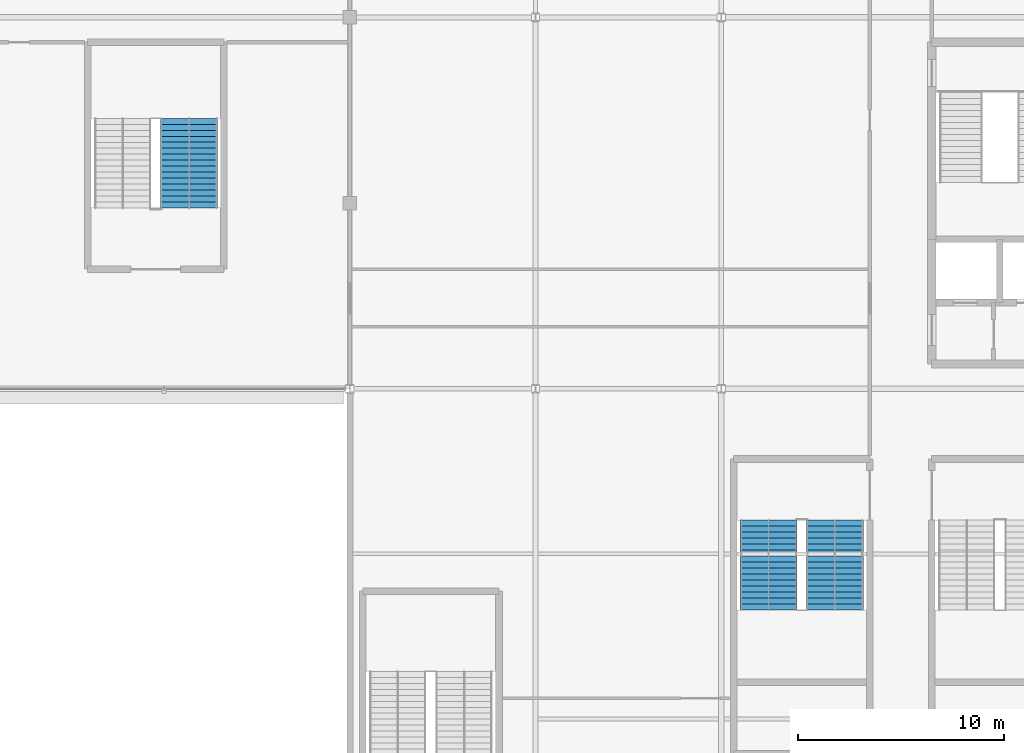
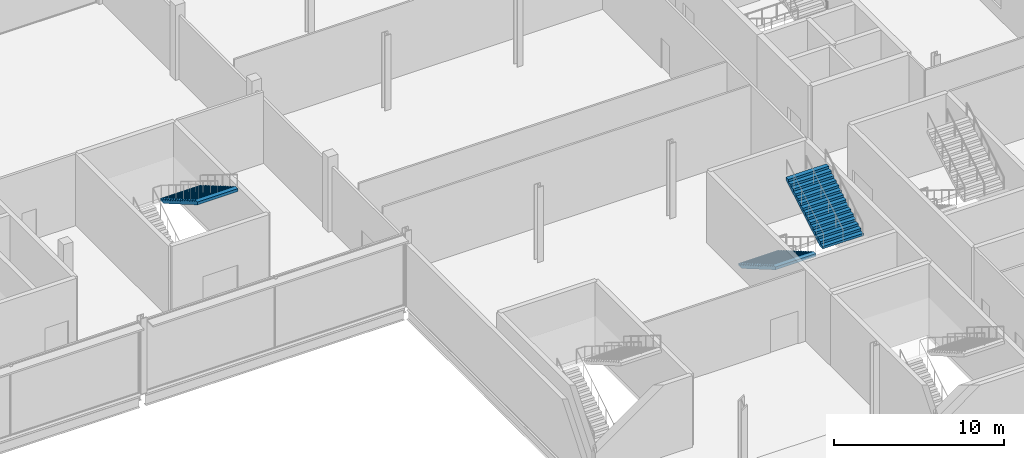
# One storey, part 94 of 111: 3 stair flights, 2 elements without a shape of their own.
"""IFC4 building model written with IfcOpenShell, lengths in metres."""

from ifc_helpers import new_model, si_unit, direction, frame, origin, place, context, subcontext, project, spatial, polygons, material, type_object, element, aggregate, save


model = new_model("IFC4")

# Units and contexts
model_context = context("Model", 3, precision=1e-05, world=origin(), true_north=direction((0.0, 1.0)))
body_context = subcontext(model_context, "Body", "Model", "MODEL_VIEW")
ifc_project = project(units=[si_unit("LENGTHUNIT", "METRE"), si_unit("AREAUNIT", "SQUARE_METRE"), si_unit("VOLUMEUNIT", "CUBIC_METRE"), si_unit("PLANEANGLEUNIT", "RADIAN"), si_unit("MASSUNIT", "GRAM", prefix="KILO")], contexts=[model_context])

# Site, building, storey
site_placement = place(None, origin())
site = spatial("IfcSite", under=ifc_project, at=site_placement, CompositionType="ELEMENT")
building_placement = place(site_placement, origin())
building = spatial("IfcBuilding", under=site, at=building_placement, Name="Kisiwana Market Hall", CompositionType="ELEMENT")
storey_placement = place(building_placement, frame((0.0, 0.0, 11.39990234375)))
storey = spatial("IfcBuildingStorey", under=building, at=storey_placement, Name="L02", CompositionType="ELEMENT", Elevation=11.39990234375)

# Stair, stair flights
ifc_material_1 = material(Name="Concrete C32/40", Category="concrete")
stair_type = type_object("IfcStairType", Name="ST-ESC-5400", PredefinedType="TWO_STRAIGHT_RUN_STAIR", material=ifc_material_1)
stair_1_placement = place(storey_placement, origin())
stair_1 = element("IfcStair", 1, at=stair_1_placement, inside=storey, type_object=stair_type, Name="Escape stair ST-E8-L02", PredefinedType="TWO_STRAIGHT_RUN_STAIR")
ifc_material_2 = material(Name="Concrete C32/40", Category="concrete")
stair_flight_type = type_object("IfcStairFlightType", Name="SF-ESC-5400", PredefinedType="STRAIGHT", material=ifc_material_2)
stair_flight_1_placement = place(storey_placement, frame((173.2900390625, 77.639892578125, 0.0), z_axis=(0.0, 0.0, 1.0), x_axis=(0.0, -1.0, 0.0)))
stair_flight_1 = element("IfcStairFlight", 2, at=stair_flight_1_placement, type_object=stair_flight_type, Name="ST-E8-L02 flight 1", NumberOfRisers=16, NumberOfTreads=15, PredefinedType="STRAIGHT", RiserHeight=0.16875, TreadLength=0.29, context=body_context, shape_type="Tessellation", body=[
    polygons([(0.0, -1.380127, 0.0), (0.0, -0.690125, 0.0), (0.0, -0.000122, 0.0), (0.0, 0.68988, 0.0), (0.0, 1.379883, 0.0), (0.0, -1.380127, 0.168701), (0.0, -0.690125, 0.168701), (0.0, -0.000122, 0.168701), (0.0, 0.68988, 0.168701), (0.0, 1.379883, 0.168701), (0.290039, -1.380127, 0.168701), (0.290039, -0.690125, 0.168701), (0.290039, -0.000122, 0.168701), (0.290039, 0.68988, 0.168701), (0.290039, 1.379883, 0.168701), (0.290039, -1.380127, 0.337402), (0.290039, -0.690125, 0.337402), (0.290039, -0.000122, 0.337402), (0.290039, 0.68988, 0.337402), (0.290039, 1.379883, 0.337402), (0.580078, -1.380127, 0.337402), (0.580078, -0.690125, 0.337402), (0.580078, -0.000122, 0.337402), (0.580078, 0.68988, 0.337402), (0.580078, 1.379883, 0.337402), (0.580078, -1.380127, 0.506348), (0.580078, -0.690125, 0.506348), (0.580078, -0.000122, 0.506348), (0.580078, 0.68988, 0.506348), (0.580078, 1.379883, 0.506348), (0.870117, -1.380127, 0.506348), (0.870117, -0.690125, 0.506348), (0.870117, -0.000122, 0.506348), (0.870117, 0.68988, 0.506348), (0.870117, 1.379883, 0.506348), (0.870117, -1.380127, 0.675049), (0.870117, -0.690125, 0.675049), (0.870117, -0.000122, 0.675049), (0.870117, 0.68988, 0.675049), (0.870117, 1.379883, 0.675049), (1.159912, -1.380127, 0.675049), (1.159912, -0.690125, 0.675049), (1.159912, -0.000122, 0.675049), (1.159912, 0.68988, 0.675049), (1.159912, 1.379883, 0.675049), (1.159912, -1.380127, 0.84375), (1.159912, -0.690125, 0.84375), (1.159912, -0.000122, 0.84375), (1.159912, 0.68988, 0.84375), (1.159912, 1.379883, 0.84375), (1.449951, -1.380127, 0.84375), (1.449951, -0.690125, 0.84375), (1.449951, -0.000122, 0.84375), (1.449951, 0.68988, 0.84375), (1.449951, 1.379883, 0.84375), (1.449951, -1.380127, 1.012451), (1.449951, -0.690125, 1.012451), (1.449951, -0.000122, 1.012451), (1.449951, 0.68988, 1.012451), (1.449951, 1.379883, 1.012451), (1.73999, -1.380127, 1.012451), (1.73999, -0.690125, 1.012451), (1.73999, -0.000122, 1.012451), (1.73999, 0.68988, 1.012451), (1.73999, 1.379883, 1.012451), (1.73999, -1.380127, 1.181152), (1.73999, -0.690125, 1.181152), (1.73999, -0.000122, 1.181152), (1.73999, 0.68988, 1.181152), (1.73999, 1.379883, 1.181152), (2.030029, -1.380127, 1.181152), (2.030029, -0.690125, 1.181152), (2.030029, -0.000122, 1.181152), (2.030029, 0.68988, 1.181152), (2.030029, 1.379883, 1.181152), (2.030029, -1.380127, 1.350098), (2.030029, -0.690125, 1.350098), (2.030029, -0.000122, 1.350098), (2.030029, 0.68988, 1.350098), (2.030029, 1.379883, 1.350098), (2.320068, -1.380127, 1.350098), (2.320068, -0.690125, 1.350098), (2.320068, -0.000122, 1.350098), (2.320068, 0.68988, 1.350098), (2.320068, 1.379883, 1.350098), (2.320068, -1.380127, 1.518799), (2.320068, -0.690125, 1.518799), (2.320068, -0.000122, 1.518799), (2.320068, 0.68988, 1.518799), (2.320068, 1.379883, 1.518799), (2.610107, -1.380127, 1.518799), (2.610107, -0.690125, 1.518799), (2.610107, -0.000122, 1.518799), (2.610107, 0.68988, 1.518799), (2.610107, 1.379883, 1.518799), (2.610107, -1.380127, 1.6875), (2.610107, -0.690125, 1.6875), (2.610107, -0.000122, 1.6875), (2.610107, 0.68988, 1.6875), (2.610107, 1.379883, 1.6875), (2.899902, -1.380127, 1.6875), (2.899902, -0.690125, 1.6875), (2.899902, -0.000122, 1.6875), (2.899902, 0.68988, 1.6875), (2.899902, 1.379883, 1.6875), (2.899902, -1.380127, 1.856201), (2.899902, -0.690125, 1.856201), (2.899902, -0.000122, 1.856201), (2.899902, 0.68988, 1.856201), (2.899902, 1.379883, 1.856201), (3.189941, -1.380127, 1.856201), (3.189941, -0.690125, 1.856201), (3.189941, -0.000122, 1.856201), (3.189941, 0.68988, 1.856201), (3.189941, 1.379883, 1.856201), (3.189941, -1.380127, 2.024902), (3.189941, -0.690125, 2.024902), (3.189941, -0.000122, 2.024902), (3.189941, 0.68988, 2.024902), (3.189941, 1.379883, 2.024902), (3.47998, -1.380127, 2.024902), (3.47998, -0.690125, 2.024902), (3.47998, -0.000122, 2.024902), (3.47998, 0.68988, 2.024902), (3.47998, 1.379883, 2.024902), (3.47998, -1.380127, 2.193848), (3.47998, -0.690125, 2.193848), (3.47998, -0.000122, 2.193848), (3.47998, 0.68988, 2.193848), (3.47998, 1.379883, 2.193848), (3.77002, -1.380127, 2.193848), (3.77002, -0.690125, 2.193848), (3.77002, -0.000122, 2.193848), (3.77002, 0.68988, 2.193848), (3.77002, 1.379883, 2.193848), (3.77002, -1.380127, 2.362549), (3.77002, -0.690125, 2.362549), (3.77002, -0.000122, 2.362549), (3.77002, 0.68988, 2.362549), (3.77002, 1.379883, 2.362549), (4.060059, -1.380127, 2.362549), (4.060059, -0.690125, 2.362549), (4.060059, -0.000122, 2.362549), (4.060059, 0.68988, 2.362549), (4.060059, 1.379883, 2.362549), (4.060059, -1.380127, 2.53125), (4.060059, -0.690125, 2.53125), (4.060059, -0.000122, 2.53125), (4.060059, 0.68988, 2.53125), (4.060059, 1.379883, 2.53125), (4.350098, -1.380127, 2.53125), (4.350098, -0.690125, 2.53125), (4.350098, -0.000122, 2.53125), (4.350098, 0.68988, 2.53125), (4.350098, 1.379883, 2.53125), (4.350098, -1.380127, 2.322998), (4.350098, -0.690125, 2.322998), (4.350098, -0.000122, 2.322998), (4.350098, 0.68988, 2.322998), (4.350098, 1.379883, 2.322998), (0.357666, -1.380127, 0.0), (0.357666, -0.690125, 0.0), (0.357666, -0.000122, 0.0), (0.357666, 0.68988, 0.0), (0.357666, 1.379883, 0.0)], [[[1, 6, 7, 2]], [[2, 7, 8, 3]], [[3, 8, 9, 4]], [[4, 9, 10, 5]], [[6, 11, 12, 7]], [[7, 12, 13, 8]], [[8, 13, 14, 9]], [[9, 14, 15, 10]], [[11, 16, 17, 12]], [[12, 17, 18, 13]], [[13, 18, 19, 14]], [[14, 19, 20, 15]], [[16, 21, 22, 17]], [[17, 22, 23, 18]], [[18, 23, 24, 19]], [[19, 24, 25, 20]], [[21, 26, 27, 22]], [[22, 27, 28, 23]], [[23, 28, 29, 24]], [[24, 29, 30, 25]], [[26, 31, 32, 27]], [[27, 32, 33, 28]], [[28, 33, 34, 29]], [[29, 34, 35, 30]], [[31, 36, 37, 32]], [[32, 37, 38, 33]], [[33, 38, 39, 34]], [[34, 39, 40, 35]], [[36, 41, 42, 37]], [[37, 42, 43, 38]], [[38, 43, 44, 39]], [[39, 44, 45, 40]], [[41, 46, 47, 42]], [[42, 47, 48, 43]], [[43, 48, 49, 44]], [[44, 49, 50, 45]], [[46, 51, 52, 47]], [[47, 52, 53, 48]], [[48, 53, 54, 49]], [[49, 54, 55, 50]], [[51, 56, 57, 52]], [[52, 57, 58, 53]], [[53, 58, 59, 54]], [[54, 59, 60, 55]], [[56, 61, 62, 57]], [[57, 62, 63, 58]], [[58, 63, 64, 59]], [[59, 64, 65, 60]], [[61, 66, 67, 62]], [[62, 67, 68, 63]], [[63, 68, 69, 64]], [[64, 69, 70, 65]], [[66, 71, 72, 67]], [[67, 72, 73, 68]], [[68, 73, 74, 69]], [[69, 74, 75, 70]], [[71, 76, 77, 72]], [[72, 77, 78, 73]], [[73, 78, 79, 74]], [[74, 79, 80, 75]], [[76, 81, 82, 77]], [[77, 82, 83, 78]], [[78, 83, 84, 79]], [[79, 84, 85, 80]], [[81, 86, 87, 82]], [[82, 87, 88, 83]], [[83, 88, 89, 84]], [[84, 89, 90, 85]], [[86, 91, 92, 87]], [[87, 92, 93, 88]], [[88, 93, 94, 89]], [[89, 94, 95, 90]], [[91, 96, 97, 92]], [[92, 97, 98, 93]], [[93, 98, 99, 94]], [[94, 99, 100, 95]], [[96, 101, 102, 97]], [[97, 102, 103, 98]], [[98, 103, 104, 99]], [[99, 104, 105, 100]], [[101, 106, 107, 102]], [[102, 107, 108, 103]], [[103, 108, 109, 104]], [[104, 109, 110, 105]], [[106, 111, 112, 107]], [[107, 112, 113, 108]], [[108, 113, 114, 109]], [[109, 114, 115, 110]], [[111, 116, 117, 112]], [[112, 117, 118, 113]], [[113, 118, 119, 114]], [[114, 119, 120, 115]], [[116, 121, 122, 117]], [[117, 122, 123, 118]], [[118, 123, 124, 119]], [[119, 124, 125, 120]], [[121, 126, 127, 122]], [[122, 127, 128, 123]], [[123, 128, 129, 124]], [[124, 129, 130, 125]], [[126, 131, 132, 127]], [[127, 132, 133, 128]], [[128, 133, 134, 129]], [[129, 134, 135, 130]], [[131, 136, 137, 132]], [[132, 137, 138, 133]], [[133, 138, 139, 134]], [[134, 139, 140, 135]], [[136, 141, 142, 137]], [[137, 142, 143, 138]], [[138, 143, 144, 139]], [[139, 144, 145, 140]], [[141, 146, 147, 142]], [[142, 147, 148, 143]], [[143, 148, 149, 144]], [[144, 149, 150, 145]], [[146, 151, 152, 147]], [[147, 152, 153, 148]], [[148, 153, 154, 149]], [[149, 154, 155, 150]], [[151, 156, 157, 152]], [[152, 157, 158, 153]], [[153, 158, 159, 154]], [[154, 159, 160, 155]], [[156, 161, 162, 157]], [[157, 162, 163, 158]], [[158, 163, 164, 159]], [[159, 164, 165, 160]], [[161, 1, 2, 162]], [[162, 2, 3, 163]], [[163, 3, 4, 164]], [[164, 4, 5, 165]], [[161, 156, 151, 146, 141, 136, 131, 126, 121, 116, 111, 106, 101, 96, 91, 86, 81, 76, 71, 66, 61, 56, 51, 46, 41, 36, 31, 26, 21, 16, 11, 6, 1]], [[5, 10, 15, 20, 25, 30, 35, 40, 45, 50, 55, 60, 65, 70, 75, 80, 85, 90, 95, 100, 105, 110, 115, 120, 125, 130, 135, 140, 145, 150, 155, 160, 165]]], closed=True),
])
stair_flight_2_placement = place(storey_placement, frame((176.510009765625, 73.2900390625, 2.7001953125), z_axis=(0.0, 0.0, 1.0), x_axis=(0.0, 1.0, 0.0)))
stair_flight_2 = element("IfcStairFlight", 3, at=stair_flight_2_placement, type_object=stair_flight_type, Name="ST-E8-L02 flight 2", NumberOfRisers=16, NumberOfTreads=15, PredefinedType="STRAIGHT", RiserHeight=0.16875, TreadLength=0.29, context=body_context, shape_type="Tessellation", body=[
    polygons([(0.0, -1.380127, 0.0), (0.0, -0.690125, 0.0), (0.0, -0.000122, 0.0), (0.0, 0.68988, 0.0), (0.0, 1.379883, 0.0), (0.0, -1.380127, 0.168701), (0.0, -0.690125, 0.168701), (0.0, -0.000122, 0.168701), (0.0, 0.68988, 0.168701), (0.0, 1.379883, 0.168701), (0.290039, -1.380127, 0.168701), (0.290039, -0.690125, 0.168701), (0.290039, -0.000122, 0.168701), (0.290039, 0.68988, 0.168701), (0.290039, 1.379883, 0.168701), (0.290039, -1.380127, 0.337402), (0.290039, -0.690125, 0.337402), (0.290039, -0.000122, 0.337402), (0.290039, 0.68988, 0.337402), (0.290039, 1.379883, 0.337402), (0.580078, -1.380127, 0.337402), (0.580078, -0.690125, 0.337402), (0.580078, -0.000122, 0.337402), (0.580078, 0.68988, 0.337402), (0.580078, 1.379883, 0.337402), (0.580078, -1.380127, 0.506348), (0.580078, -0.690125, 0.506348), (0.580078, -0.000122, 0.506348), (0.580078, 0.68988, 0.506348), (0.580078, 1.379883, 0.506348), (0.870117, -1.380127, 0.506348), (0.870117, -0.690125, 0.506348), (0.870117, -0.000122, 0.506348), (0.870117, 0.68988, 0.506348), (0.870117, 1.379883, 0.506348), (0.870117, -1.380127, 0.675049), (0.870117, -0.690125, 0.675049), (0.870117, -0.000122, 0.675049), (0.870117, 0.68988, 0.675049), (0.870117, 1.379883, 0.675049), (1.159912, -1.380127, 0.675049), (1.159912, -0.690125, 0.675049), (1.159912, -0.000122, 0.675049), (1.159912, 0.68988, 0.675049), (1.159912, 1.379883, 0.675049), (1.159912, -1.380127, 0.84375), (1.159912, -0.690125, 0.84375), (1.159912, -0.000122, 0.84375), (1.159912, 0.68988, 0.84375), (1.159912, 1.379883, 0.84375), (1.449951, -1.380127, 0.84375), (1.449951, -0.690125, 0.84375), (1.449951, -0.000122, 0.84375), (1.449951, 0.68988, 0.84375), (1.449951, 1.379883, 0.84375), (1.449951, -1.380127, 1.012451), (1.449951, -0.690125, 1.012451), (1.449951, -0.000122, 1.012451), (1.449951, 0.68988, 1.012451), (1.449951, 1.379883, 1.012451), (1.73999, -1.380127, 1.012451), (1.73999, -0.690125, 1.012451), (1.73999, -0.000122, 1.012451), (1.73999, 0.68988, 1.012451), (1.73999, 1.379883, 1.012451), (1.73999, -1.380127, 1.181152), (1.73999, -0.690125, 1.181152), (1.73999, -0.000122, 1.181152), (1.73999, 0.68988, 1.181152), (1.73999, 1.379883, 1.181152), (2.030029, -1.380127, 1.181152), (2.030029, -0.690125, 1.181152), (2.030029, -0.000122, 1.181152), (2.030029, 0.68988, 1.181152), (2.030029, 1.379883, 1.181152), (2.030029, -1.380127, 1.350098), (2.030029, -0.690125, 1.350098), (2.030029, -0.000122, 1.350098), (2.030029, 0.68988, 1.350098), (2.030029, 1.379883, 1.350098), (2.320068, -1.380127, 1.350098), (2.320068, -0.690125, 1.350098), (2.320068, -0.000122, 1.350098), (2.320068, 0.68988, 1.350098), (2.320068, 1.379883, 1.350098), (2.320068, -1.380127, 1.518799), (2.320068, -0.690125, 1.518799), (2.320068, -0.000122, 1.518799), (2.320068, 0.68988, 1.518799), (2.320068, 1.379883, 1.518799), (2.610107, -1.380127, 1.518799), (2.610107, -0.690125, 1.518799), (2.610107, -0.000122, 1.518799), (2.610107, 0.68988, 1.518799), (2.610107, 1.379883, 1.518799), (2.610107, -1.380127, 1.6875), (2.610107, -0.690125, 1.6875), (2.610107, -0.000122, 1.6875), (2.610107, 0.68988, 1.6875), (2.610107, 1.379883, 1.6875), (2.899902, -1.380127, 1.6875), (2.899902, -0.690125, 1.6875), (2.899902, -0.000122, 1.6875), (2.899902, 0.68988, 1.6875), (2.899902, 1.379883, 1.6875), (2.899902, -1.380127, 1.856201), (2.899902, -0.690125, 1.856201), (2.899902, -0.000122, 1.856201), (2.899902, 0.68988, 1.856201), (2.899902, 1.379883, 1.856201), (3.189941, -1.380127, 1.856201), (3.189941, -0.690125, 1.856201), (3.189941, -0.000122, 1.856201), (3.189941, 0.68988, 1.856201), (3.189941, 1.379883, 1.856201), (3.189941, -1.380127, 2.024902), (3.189941, -0.690125, 2.024902), (3.189941, -0.000122, 2.024902), (3.189941, 0.68988, 2.024902), (3.189941, 1.379883, 2.024902), (3.47998, -1.380127, 2.024902), (3.47998, -0.690125, 2.024902), (3.47998, -0.000122, 2.024902), (3.47998, 0.68988, 2.024902), (3.47998, 1.379883, 2.024902), (3.47998, -1.380127, 2.193848), (3.47998, -0.690125, 2.193848), (3.47998, -0.000122, 2.193848), (3.47998, 0.68988, 2.193848), (3.47998, 1.379883, 2.193848), (3.77002, -1.380127, 2.193848), (3.77002, -0.690125, 2.193848), (3.77002, -0.000122, 2.193848), (3.77002, 0.68988, 2.193848), (3.77002, 1.379883, 2.193848), (3.77002, -1.380127, 2.362549), (3.77002, -0.690125, 2.362549), (3.77002, -0.000122, 2.362549), (3.77002, 0.68988, 2.362549), (3.77002, 1.379883, 2.362549), (4.060059, -1.380127, 2.362549), (4.060059, -0.690125, 2.362549), (4.060059, -0.000122, 2.362549), (4.060059, 0.68988, 2.362549), (4.060059, 1.379883, 2.362549), (4.060059, -1.380127, 2.53125), (4.060059, -0.690125, 2.53125), (4.060059, -0.000122, 2.53125), (4.060059, 0.68988, 2.53125), (4.060059, 1.379883, 2.53125), (4.350098, -1.380127, 2.53125), (4.350098, -0.690125, 2.53125), (4.350098, -0.000122, 2.53125), (4.350098, 0.68988, 2.53125), (4.350098, 1.379883, 2.53125), (4.350098, -1.380127, 2.322998), (4.350098, -0.690125, 2.322998), (4.350098, -0.000122, 2.322998), (4.350098, 0.68988, 2.322998), (4.350098, 1.379883, 2.322998), (0.357666, -1.380127, 0.0), (0.357666, -0.690125, 0.0), (0.357666, -0.000122, 0.0), (0.357666, 0.68988, 0.0), (0.357666, 1.379883, 0.0)], [[[1, 6, 7, 2]], [[2, 7, 8, 3]], [[3, 8, 9, 4]], [[4, 9, 10, 5]], [[6, 11, 12, 7]], [[7, 12, 13, 8]], [[8, 13, 14, 9]], [[9, 14, 15, 10]], [[11, 16, 17, 12]], [[12, 17, 18, 13]], [[13, 18, 19, 14]], [[14, 19, 20, 15]], [[16, 21, 22, 17]], [[17, 22, 23, 18]], [[18, 23, 24, 19]], [[19, 24, 25, 20]], [[21, 26, 27, 22]], [[22, 27, 28, 23]], [[23, 28, 29, 24]], [[24, 29, 30, 25]], [[26, 31, 32, 27]], [[27, 32, 33, 28]], [[28, 33, 34, 29]], [[29, 34, 35, 30]], [[31, 36, 37, 32]], [[32, 37, 38, 33]], [[33, 38, 39, 34]], [[34, 39, 40, 35]], [[36, 41, 42, 37]], [[37, 42, 43, 38]], [[38, 43, 44, 39]], [[39, 44, 45, 40]], [[41, 46, 47, 42]], [[42, 47, 48, 43]], [[43, 48, 49, 44]], [[44, 49, 50, 45]], [[46, 51, 52, 47]], [[47, 52, 53, 48]], [[48, 53, 54, 49]], [[49, 54, 55, 50]], [[51, 56, 57, 52]], [[52, 57, 58, 53]], [[53, 58, 59, 54]], [[54, 59, 60, 55]], [[56, 61, 62, 57]], [[57, 62, 63, 58]], [[58, 63, 64, 59]], [[59, 64, 65, 60]], [[61, 66, 67, 62]], [[62, 67, 68, 63]], [[63, 68, 69, 64]], [[64, 69, 70, 65]], [[66, 71, 72, 67]], [[67, 72, 73, 68]], [[68, 73, 74, 69]], [[69, 74, 75, 70]], [[71, 76, 77, 72]], [[72, 77, 78, 73]], [[73, 78, 79, 74]], [[74, 79, 80, 75]], [[76, 81, 82, 77]], [[77, 82, 83, 78]], [[78, 83, 84, 79]], [[79, 84, 85, 80]], [[81, 86, 87, 82]], [[82, 87, 88, 83]], [[83, 88, 89, 84]], [[84, 89, 90, 85]], [[86, 91, 92, 87]], [[87, 92, 93, 88]], [[88, 93, 94, 89]], [[89, 94, 95, 90]], [[91, 96, 97, 92]], [[92, 97, 98, 93]], [[93, 98, 99, 94]], [[94, 99, 100, 95]], [[96, 101, 102, 97]], [[97, 102, 103, 98]], [[98, 103, 104, 99]], [[99, 104, 105, 100]], [[101, 106, 107, 102]], [[102, 107, 108, 103]], [[103, 108, 109, 104]], [[104, 109, 110, 105]], [[106, 111, 112, 107]], [[107, 112, 113, 108]], [[108, 113, 114, 109]], [[109, 114, 115, 110]], [[111, 116, 117, 112]], [[112, 117, 118, 113]], [[113, 118, 119, 114]], [[114, 119, 120, 115]], [[116, 121, 122, 117]], [[117, 122, 123, 118]], [[118, 123, 124, 119]], [[119, 124, 125, 120]], [[121, 126, 127, 122]], [[122, 127, 128, 123]], [[123, 128, 129, 124]], [[124, 129, 130, 125]], [[126, 131, 132, 127]], [[127, 132, 133, 128]], [[128, 133, 134, 129]], [[129, 134, 135, 130]], [[131, 136, 137, 132]], [[132, 137, 138, 133]], [[133, 138, 139, 134]], [[134, 139, 140, 135]], [[136, 141, 142, 137]], [[137, 142, 143, 138]], [[138, 143, 144, 139]], [[139, 144, 145, 140]], [[141, 146, 147, 142]], [[142, 147, 148, 143]], [[143, 148, 149, 144]], [[144, 149, 150, 145]], [[146, 151, 152, 147]], [[147, 152, 153, 148]], [[148, 153, 154, 149]], [[149, 154, 155, 150]], [[151, 156, 157, 152]], [[152, 157, 158, 153]], [[153, 158, 159, 154]], [[154, 159, 160, 155]], [[156, 161, 162, 157]], [[157, 162, 163, 158]], [[158, 163, 164, 159]], [[159, 164, 165, 160]], [[161, 1, 2, 162]], [[162, 2, 3, 163]], [[163, 3, 4, 164]], [[164, 4, 5, 165]], [[161, 156, 151, 146, 141, 136, 131, 126, 121, 116, 111, 106, 101, 96, 91, 86, 81, 76, 71, 66, 61, 56, 51, 46, 41, 36, 31, 26, 21, 16, 11, 6, 1]], [[5, 10, 15, 20, 25, 30, 35, 40, 45, 50, 55, 60, 65, 70, 75, 80, 85, 90, 95, 100, 105, 110, 115, 120, 125, 130, 135, 140, 145, 150, 155, 160, 165]]], closed=True),
])
aggregate(stair_1, [stair_flight_1, stair_flight_2])

# Stair, stair flight
stair_2_placement = place(storey_placement, origin())
stair_2 = element("IfcStair", 4, at=stair_2_placement, inside=storey, type_object=stair_type, Name="Escape stair ST-N6-L02", PredefinedType="TWO_STRAIGHT_RUN_STAIR")
stair_flight_3_placement = place(storey_placement, frame((145.2099609375, 97.110107421875, 2.7001953125), z_axis=(0.0, 0.0, 1.0), x_axis=(0.0, -1.0, 0.0)))
stair_flight_3 = element("IfcStairFlight", 5, at=stair_flight_3_placement, type_object=stair_flight_type, Name="ST-N6-L02 flight 2", NumberOfRisers=16, NumberOfTreads=15, PredefinedType="STRAIGHT", RiserHeight=0.16875, TreadLength=0.29, context=body_context, shape_type="Tessellation", body=[
    polygons([(0.0, -1.380127, 0.0), (0.0, -0.690125, 0.0), (0.0, -0.000122, 0.0), (0.0, 0.68988, 0.0), (0.0, 1.379883, 0.0), (0.0, -1.380127, 0.168701), (0.0, -0.690125, 0.168701), (0.0, -0.000122, 0.168701), (0.0, 0.68988, 0.168701), (0.0, 1.379883, 0.168701), (0.290039, -1.380127, 0.168701), (0.290039, -0.690125, 0.168701), (0.290039, -0.000122, 0.168701), (0.290039, 0.68988, 0.168701), (0.290039, 1.379883, 0.168701), (0.290039, -1.380127, 0.337402), (0.290039, -0.690125, 0.337402), (0.290039, -0.000122, 0.337402), (0.290039, 0.68988, 0.337402), (0.290039, 1.379883, 0.337402), (0.580078, -1.380127, 0.337402), (0.580078, -0.690125, 0.337402), (0.580078, -0.000122, 0.337402), (0.580078, 0.68988, 0.337402), (0.580078, 1.379883, 0.337402), (0.580078, -1.380127, 0.506348), (0.580078, -0.690125, 0.506348), (0.580078, -0.000122, 0.506348), (0.580078, 0.68988, 0.506348), (0.580078, 1.379883, 0.506348), (0.870117, -1.380127, 0.506348), (0.870117, -0.690125, 0.506348), (0.870117, -0.000122, 0.506348), (0.870117, 0.68988, 0.506348), (0.870117, 1.379883, 0.506348), (0.870117, -1.380127, 0.675049), (0.870117, -0.690125, 0.675049), (0.870117, -0.000122, 0.675049), (0.870117, 0.68988, 0.675049), (0.870117, 1.379883, 0.675049), (1.159912, -1.380127, 0.675049), (1.159912, -0.690125, 0.675049), (1.159912, -0.000122, 0.675049), (1.159912, 0.68988, 0.675049), (1.159912, 1.379883, 0.675049), (1.159912, -1.380127, 0.84375), (1.159912, -0.690125, 0.84375), (1.159912, -0.000122, 0.84375), (1.159912, 0.68988, 0.84375), (1.159912, 1.379883, 0.84375), (1.449951, -1.380127, 0.84375), (1.449951, -0.690125, 0.84375), (1.449951, -0.000122, 0.84375), (1.449951, 0.68988, 0.84375), (1.449951, 1.379883, 0.84375), (1.449951, -1.380127, 1.012451), (1.449951, -0.690125, 1.012451), (1.449951, -0.000122, 1.012451), (1.449951, 0.68988, 1.012451), (1.449951, 1.379883, 1.012451), (1.73999, -1.380127, 1.012451), (1.73999, -0.690125, 1.012451), (1.73999, -0.000122, 1.012451), (1.73999, 0.68988, 1.012451), (1.73999, 1.379883, 1.012451), (1.73999, -1.380127, 1.181152), (1.73999, -0.690125, 1.181152), (1.73999, -0.000122, 1.181152), (1.73999, 0.68988, 1.181152), (1.73999, 1.379883, 1.181152), (2.030029, -1.380127, 1.181152), (2.030029, -0.690125, 1.181152), (2.030029, -0.000122, 1.181152), (2.030029, 0.68988, 1.181152), (2.030029, 1.379883, 1.181152), (2.030029, -1.380127, 1.350098), (2.030029, -0.690125, 1.350098), (2.030029, -0.000122, 1.350098), (2.030029, 0.68988, 1.350098), (2.030029, 1.379883, 1.350098), (2.320068, -1.380127, 1.350098), (2.320068, -0.690125, 1.350098), (2.320068, -0.000122, 1.350098), (2.320068, 0.68988, 1.350098), (2.320068, 1.379883, 1.350098), (2.320068, -1.380127, 1.518799), (2.320068, -0.690125, 1.518799), (2.320068, -0.000122, 1.518799), (2.320068, 0.68988, 1.518799), (2.320068, 1.379883, 1.518799), (2.610107, -1.380127, 1.518799), (2.610107, -0.690125, 1.518799), (2.610107, -0.000122, 1.518799), (2.610107, 0.68988, 1.518799), (2.610107, 1.379883, 1.518799), (2.610107, -1.380127, 1.6875), (2.610107, -0.690125, 1.6875), (2.610107, -0.000122, 1.6875), (2.610107, 0.68988, 1.6875), (2.610107, 1.379883, 1.6875), (2.899902, -1.380127, 1.6875), (2.899902, -0.690125, 1.6875), (2.899902, -0.000122, 1.6875), (2.899902, 0.68988, 1.6875), (2.899902, 1.379883, 1.6875), (2.899902, -1.380127, 1.856201), (2.899902, -0.690125, 1.856201), (2.899902, -0.000122, 1.856201), (2.899902, 0.68988, 1.856201), (2.899902, 1.379883, 1.856201), (3.189941, -1.380127, 1.856201), (3.189941, -0.690125, 1.856201), (3.189941, -0.000122, 1.856201), (3.189941, 0.68988, 1.856201), (3.189941, 1.379883, 1.856201), (3.189941, -1.380127, 2.024902), (3.189941, -0.690125, 2.024902), (3.189941, -0.000122, 2.024902), (3.189941, 0.68988, 2.024902), (3.189941, 1.379883, 2.024902), (3.47998, -1.380127, 2.024902), (3.47998, -0.690125, 2.024902), (3.47998, -0.000122, 2.024902), (3.47998, 0.68988, 2.024902), (3.47998, 1.379883, 2.024902), (3.47998, -1.380127, 2.193848), (3.47998, -0.690125, 2.193848), (3.47998, -0.000122, 2.193848), (3.47998, 0.68988, 2.193848), (3.47998, 1.379883, 2.193848), (3.77002, -1.380127, 2.193848), (3.77002, -0.690125, 2.193848), (3.77002, -0.000122, 2.193848), (3.77002, 0.68988, 2.193848), (3.77002, 1.379883, 2.193848), (3.77002, -1.380127, 2.362549), (3.77002, -0.690125, 2.362549), (3.77002, -0.000122, 2.362549), (3.77002, 0.68988, 2.362549), (3.77002, 1.379883, 2.362549), (4.060059, -1.380127, 2.362549), (4.060059, -0.690125, 2.362549), (4.060059, -0.000122, 2.362549), (4.060059, 0.68988, 2.362549), (4.060059, 1.379883, 2.362549), (4.060059, -1.380127, 2.53125), (4.060059, -0.690125, 2.53125), (4.060059, -0.000122, 2.53125), (4.060059, 0.68988, 2.53125), (4.060059, 1.379883, 2.53125), (4.350098, -1.380127, 2.53125), (4.350098, -0.690125, 2.53125), (4.350098, -0.000122, 2.53125), (4.350098, 0.68988, 2.53125), (4.350098, 1.379883, 2.53125), (4.350098, -1.380127, 2.322998), (4.350098, -0.690125, 2.322998), (4.350098, -0.000122, 2.322998), (4.350098, 0.68988, 2.322998), (4.350098, 1.379883, 2.322998), (0.357666, -1.380127, 0.0), (0.357666, -0.690125, 0.0), (0.357666, -0.000122, 0.0), (0.357666, 0.68988, 0.0), (0.357666, 1.379883, 0.0)], [[[1, 6, 7, 2]], [[2, 7, 8, 3]], [[3, 8, 9, 4]], [[4, 9, 10, 5]], [[6, 11, 12, 7]], [[7, 12, 13, 8]], [[8, 13, 14, 9]], [[9, 14, 15, 10]], [[11, 16, 17, 12]], [[12, 17, 18, 13]], [[13, 18, 19, 14]], [[14, 19, 20, 15]], [[16, 21, 22, 17]], [[17, 22, 23, 18]], [[18, 23, 24, 19]], [[19, 24, 25, 20]], [[21, 26, 27, 22]], [[22, 27, 28, 23]], [[23, 28, 29, 24]], [[24, 29, 30, 25]], [[26, 31, 32, 27]], [[27, 32, 33, 28]], [[28, 33, 34, 29]], [[29, 34, 35, 30]], [[31, 36, 37, 32]], [[32, 37, 38, 33]], [[33, 38, 39, 34]], [[34, 39, 40, 35]], [[36, 41, 42, 37]], [[37, 42, 43, 38]], [[38, 43, 44, 39]], [[39, 44, 45, 40]], [[41, 46, 47, 42]], [[42, 47, 48, 43]], [[43, 48, 49, 44]], [[44, 49, 50, 45]], [[46, 51, 52, 47]], [[47, 52, 53, 48]], [[48, 53, 54, 49]], [[49, 54, 55, 50]], [[51, 56, 57, 52]], [[52, 57, 58, 53]], [[53, 58, 59, 54]], [[54, 59, 60, 55]], [[56, 61, 62, 57]], [[57, 62, 63, 58]], [[58, 63, 64, 59]], [[59, 64, 65, 60]], [[61, 66, 67, 62]], [[62, 67, 68, 63]], [[63, 68, 69, 64]], [[64, 69, 70, 65]], [[66, 71, 72, 67]], [[67, 72, 73, 68]], [[68, 73, 74, 69]], [[69, 74, 75, 70]], [[71, 76, 77, 72]], [[72, 77, 78, 73]], [[73, 78, 79, 74]], [[74, 79, 80, 75]], [[76, 81, 82, 77]], [[77, 82, 83, 78]], [[78, 83, 84, 79]], [[79, 84, 85, 80]], [[81, 86, 87, 82]], [[82, 87, 88, 83]], [[83, 88, 89, 84]], [[84, 89, 90, 85]], [[86, 91, 92, 87]], [[87, 92, 93, 88]], [[88, 93, 94, 89]], [[89, 94, 95, 90]], [[91, 96, 97, 92]], [[92, 97, 98, 93]], [[93, 98, 99, 94]], [[94, 99, 100, 95]], [[96, 101, 102, 97]], [[97, 102, 103, 98]], [[98, 103, 104, 99]], [[99, 104, 105, 100]], [[101, 106, 107, 102]], [[102, 107, 108, 103]], [[103, 108, 109, 104]], [[104, 109, 110, 105]], [[106, 111, 112, 107]], [[107, 112, 113, 108]], [[108, 113, 114, 109]], [[109, 114, 115, 110]], [[111, 116, 117, 112]], [[112, 117, 118, 113]], [[113, 118, 119, 114]], [[114, 119, 120, 115]], [[116, 121, 122, 117]], [[117, 122, 123, 118]], [[118, 123, 124, 119]], [[119, 124, 125, 120]], [[121, 126, 127, 122]], [[122, 127, 128, 123]], [[123, 128, 129, 124]], [[124, 129, 130, 125]], [[126, 131, 132, 127]], [[127, 132, 133, 128]], [[128, 133, 134, 129]], [[129, 134, 135, 130]], [[131, 136, 137, 132]], [[132, 137, 138, 133]], [[133, 138, 139, 134]], [[134, 139, 140, 135]], [[136, 141, 142, 137]], [[137, 142, 143, 138]], [[138, 143, 144, 139]], [[139, 144, 145, 140]], [[141, 146, 147, 142]], [[142, 147, 148, 143]], [[143, 148, 149, 144]], [[144, 149, 150, 145]], [[146, 151, 152, 147]], [[147, 152, 153, 148]], [[148, 153, 154, 149]], [[149, 154, 155, 150]], [[151, 156, 157, 152]], [[152, 157, 158, 153]], [[153, 158, 159, 154]], [[154, 159, 160, 155]], [[156, 161, 162, 157]], [[157, 162, 163, 158]], [[158, 163, 164, 159]], [[159, 164, 165, 160]], [[161, 1, 2, 162]], [[162, 2, 3, 163]], [[163, 3, 4, 164]], [[164, 4, 5, 165]], [[161, 156, 151, 146, 141, 136, 131, 126, 121, 116, 111, 106, 101, 96, 91, 86, 81, 76, 71, 66, 61, 56, 51, 46, 41, 36, 31, 26, 21, 16, 11, 6, 1]], [[5, 10, 15, 20, 25, 30, 35, 40, 45, 50, 55, 60, 65, 70, 75, 80, 85, 90, 95, 100, 105, 110, 115, 120, 125, 130, 135, 140, 145, 150, 155, 160, 165]]], closed=True),
])
aggregate(stair_2, [stair_flight_3])

save(model, "model.ifc")
